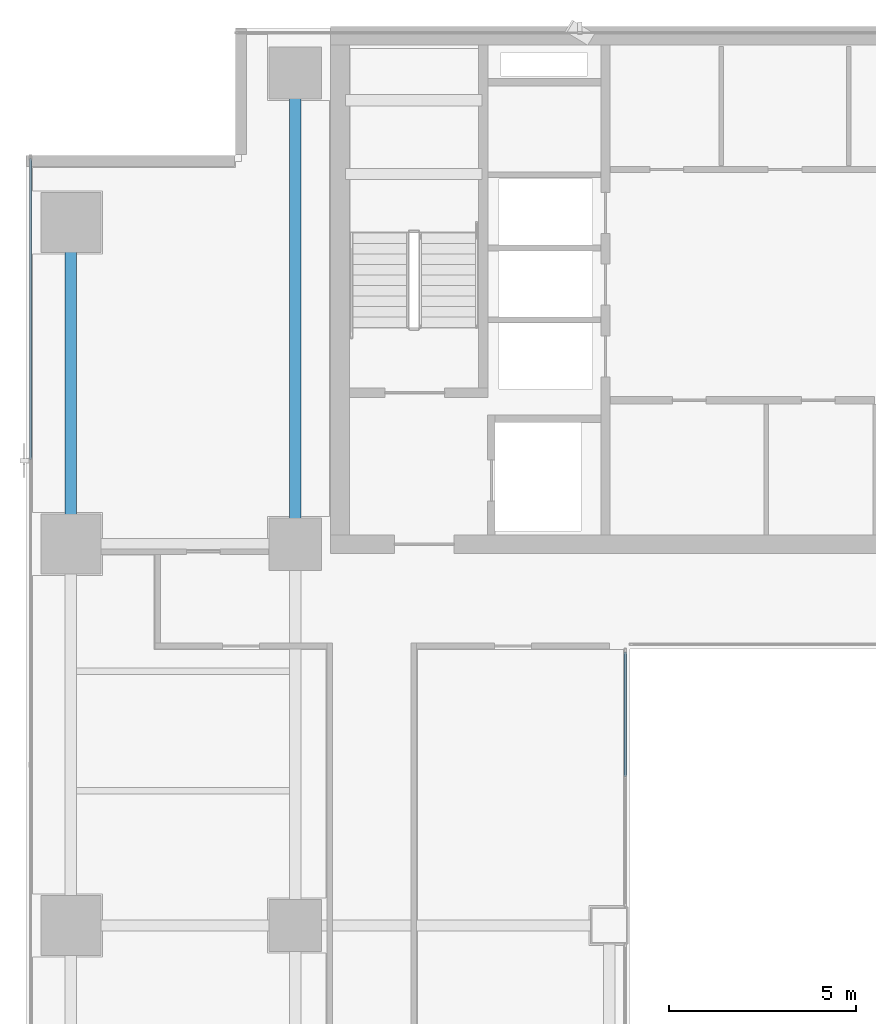
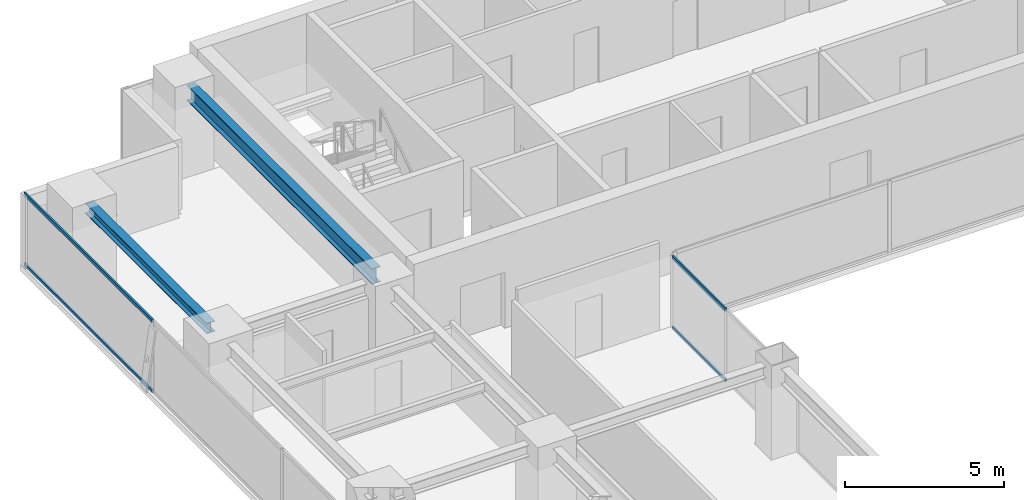
# One storey, part 9 of 29: 4 members, 2 beams, 2 elements without a shape of their own.
"""IFC4 building model written with IfcOpenShell, lengths in metres."""

from ifc_helpers import new_model, si_unit, direction, frame, origin, origin_2d, place, context, subcontext, project, spatial, hollow_rectangle, i_section, extrude, source, transform, mapped, material, layer, layer_set, material_profile, profile_set, type_object, element, aggregate, save


model = new_model("IFC4")

# Units and contexts
model_context = context("Model", 3, precision=1e-05, world=origin(), true_north=direction((0.0, 1.0)))
body_context = subcontext(model_context, "Body", "Model", "MODEL_VIEW")
ifc_project = project(units=[si_unit("LENGTHUNIT", "METRE"), si_unit("AREAUNIT", "SQUARE_METRE"), si_unit("VOLUMEUNIT", "CUBIC_METRE"), si_unit("PLANEANGLEUNIT", "RADIAN"), si_unit("MASSUNIT", "GRAM", prefix="KILO")], contexts=[model_context])

# Site, building, storey
site_placement = place(None, origin())
site = spatial("IfcSite", under=ifc_project, at=site_placement, CompositionType="ELEMENT")
building_placement = place(site_placement, origin())
building = spatial("IfcBuilding", under=site, at=building_placement, Name="Sumidabori Civic Tower", CompositionType="ELEMENT")
storey_placement = place(building_placement, frame((0.0, 0.0, 214.39990234375)))
storey = spatial("IfcBuildingStorey", under=building, at=storey_placement, Name="L55", CompositionType="ELEMENT", Elevation=214.39990234375)

# Beams
ifc_material_1 = material(Name="Steel SN490", Category="steel")
ifc_material_profile_1 = material_profile(ifc_material_1, i_section(OverallWidth=0.300048828125, OverallDepth=0.39990234375, WebThickness=0.013427734375, FlangeThickness=0.02392578125, at=origin_2d()), Name="HE 400 B")
ifc_profile_set_1 = profile_set([ifc_material_profile_1], Name="Steel SN490")
beam_type_1 = type_object("IfcBeamType", Name="BM-GIRD-400", PredefinedType="BEAM", material=ifc_profile_set_1)
shared_shape_1 = source(origin(), body_context, "Body", "SweptSolid", [
    extrude(i_section(OverallWidth=0.300048828125, OverallDepth=0.39990234375, WebThickness=0.013427734375, FlangeThickness=0.02392578125, at=origin_2d()), origin(), (0.0, 0.0, 1.0), 7.64013671875),
])
beam_1_placement = place(storey_placement, frame((-22.800048828125, 10.679931640625, 3.18017578125), z_axis=(0.0, 1.0, 0.0), x_axis=(-1.0, 0.0, 0.0)))
element("IfcBeam", 1, at=beam_1_placement, inside=storey, type_object=beam_type_1, Name="Primary Girder L55 GY-13", PredefinedType="BEAM", context=body_context, shape_type="MappedRepresentation", body=[
    mapped(shared_shape_1, transform((0.0, 0.0, 0.0), x_axis=(1.0, 0.0, 0.0), y_axis=(0.0, 1.0, 0.0), z_axis=(0.0, 0.0, 1.0), scale=1.0)),
])
ifc_material_profile_2 = material_profile(ifc_material_1, i_section(OverallWidth=0.300048828125, OverallDepth=0.60009765625, WebThickness=0.015380859375, FlangeThickness=0.030029296875, at=origin_2d()), Name="HE 600 B")
ifc_profile_set_2 = profile_set([ifc_material_profile_2], Name="Steel SN490")
beam_type_2 = type_object("IfcBeamType", Name="BM-GIRD-600", PredefinedType="BEAM", material=ifc_profile_set_2)
shared_shape_2 = source(origin(), body_context, "Body", "SweptSolid", [
    extrude(i_section(OverallWidth=0.300048828125, OverallDepth=0.60009765625, WebThickness=0.015380859375, FlangeThickness=0.030029296875, at=origin_2d()), origin(), (0.0, 0.0, 1.0), 11.64013671875),
])
beam_2_placement = place(storey_placement, frame((-16.800048828125, 10.679931640625, 3.080078125), z_axis=(0.0, 1.0, 0.0), x_axis=(-1.0, 0.0, 0.0)))
element("IfcBeam", 2, at=beam_2_placement, inside=storey, type_object=beam_type_2, Name="Primary Girder L55 GY-16", PredefinedType="BEAM", context=body_context, shape_type="MappedRepresentation", body=[
    mapped(shared_shape_2, transform((0.0, 0.0, 0.0), x_axis=(1.0, 0.0, 0.0), y_axis=(0.0, 1.0, 0.0), z_axis=(0.0, 0.0, 1.0), scale=1.0)),
])

# Curtain wall, members
ifc_material_2 = material(Name="Anodised Bronze Aluminium AW-6063-T6", Category="aluminium")
ifc_layer_1 = layer(ifc_material_2, 0.179931640625, Name="Anodised Bronze Aluminium AW-6063-T6")
ifc_layer_set_1 = layer_set([ifc_layer_1], Name="Anodised Bronze Aluminium AW-6063-T6")
curtain_wall_type_1 = type_object("IfcCurtainWallType", Name="CW-SYS-4", PredefinedType="NOTDEFINED", material=ifc_layer_set_1)
curtain_wall_1_placement = place(storey_placement, origin())
curtain_wall_1 = element("IfcCurtainWall", 3, at=curtain_wall_1_placement, inside=storey, type_object=curtain_wall_type_1, Name="Curtain Wall CW:L55:R04", PredefinedType="NOTDEFINED")
ifc_material_profile_3 = material_profile(ifc_material_2, hollow_rectangle(XDim=0.06005859375, YDim=0.1298828125, WallThickness=0.0048828125, at=origin_2d()), Name="ALU TRANSOM 130x60")
ifc_profile_set_3 = profile_set([ifc_material_profile_3], Name="Anodised Bronze Aluminium AW-6063-T6")
member_type = type_object("IfcMemberType", Name="CW-TRN-130", PredefinedType="USERDEFINED", material=ifc_profile_set_3)
shared_shape_3 = source(origin(), body_context, "Body", "SweptSolid", [
    extrude(hollow_rectangle(XDim=0.06005859375, YDim=0.1298828125, WallThickness=0.0048828125, at=origin_2d()), origin(), (0.0, 0.0, 1.0), 3.330078125),
])
member_1_placement = place(storey_placement, frame((-7.969970703125, 3.97998046875, 0.030029296875), z_axis=(0.0, 1.0, 0.0), x_axis=(-1.0, 0.0, 0.0)))
member_1 = element("IfcMember", 4, at=member_1_placement, type_object=member_type, Name="CW-4 transom 2.1", ObjectType="TRANSOM", PredefinedType="USERDEFINED", context=body_context, shape_type="MappedRepresentation", body=[
    mapped(shared_shape_3, transform((0.0, 0.0, 0.0), x_axis=(1.0, 0.0, 0.0), y_axis=(0.0, 1.0, 0.0), z_axis=(0.0, 0.0, 1.0), scale=1.0)),
])
member_2_placement = place(storey_placement, frame((-7.969970703125, 3.97998046875, 2.72998046875), z_axis=(0.0, 1.0, 0.0), x_axis=(-1.0, 0.0, 0.0)))
member_2 = element("IfcMember", 5, at=member_2_placement, type_object=member_type, Name="CW-4 transom 2.2", ObjectType="TRANSOM", PredefinedType="USERDEFINED", context=body_context, shape_type="MappedRepresentation", body=[
    mapped(shared_shape_3, transform((0.0, 0.0, 0.0), x_axis=(1.0, 0.0, 0.0), y_axis=(0.0, 1.0, 0.0), z_axis=(0.0, 0.0, 1.0), scale=1.0)),
])
aggregate(curtain_wall_1, [member_1, member_2])

ifc_layer_2 = layer(ifc_material_2, 0.179931640625, Name="Anodised Bronze Aluminium AW-6063-T6")
ifc_layer_set_2 = layer_set([ifc_layer_2], Name="Anodised Bronze Aluminium AW-6063-T6")
curtain_wall_type_2 = type_object("IfcCurtainWallType", Name="CW-SYS-5", PredefinedType="NOTDEFINED", material=ifc_layer_set_2)
curtain_wall_2_placement = place(storey_placement, origin())
curtain_wall_2 = element("IfcCurtainWall", 6, at=curtain_wall_2_placement, inside=storey, type_object=curtain_wall_type_2, Name="Curtain Wall CW:L55:R16", PredefinedType="NOTDEFINED")
shared_shape_4 = source(origin(), body_context, "Body", "SweptSolid", [
    extrude(hollow_rectangle(XDim=0.06005859375, YDim=0.1298828125, WallThickness=0.0048828125, at=origin_2d()), origin(), (0.0, 0.0, 1.0), 8.044921875),
])
member_3_placement = place(storey_placement, frame((-23.8798828125, 20.510009765625, 0.030029296875), z_axis=(0.0, -1.0, 0.0), x_axis=(1.0, 0.0, 0.0)))
member_3 = element("IfcMember", 7, at=member_3_placement, type_object=member_type, Name="CW-5 transom 1.1", ObjectType="TRANSOM", PredefinedType="USERDEFINED", context=body_context, shape_type="MappedRepresentation", body=[
    mapped(shared_shape_4, transform((0.0, 0.0, 0.0), x_axis=(1.0, 0.0, 0.0), y_axis=(0.0, 1.0, 0.0), z_axis=(0.0, 0.0, 1.0), scale=1.0)),
])
member_4_placement = place(storey_placement, frame((-23.8798828125, 20.510009765625, 2.72998046875), z_axis=(0.0, -1.0, 0.0), x_axis=(1.0, 0.0, 0.0)))
member_4 = element("IfcMember", 8, at=member_4_placement, type_object=member_type, Name="CW-5 transom 1.2", ObjectType="TRANSOM", PredefinedType="USERDEFINED", context=body_context, shape_type="MappedRepresentation", body=[
    mapped(shared_shape_4, transform((0.0, 0.0, 0.0), x_axis=(1.0, 0.0, 0.0), y_axis=(0.0, 1.0, 0.0), z_axis=(0.0, 0.0, 1.0), scale=1.0)),
])
aggregate(curtain_wall_2, [member_3, member_4])

save(model, "model.ifc")
